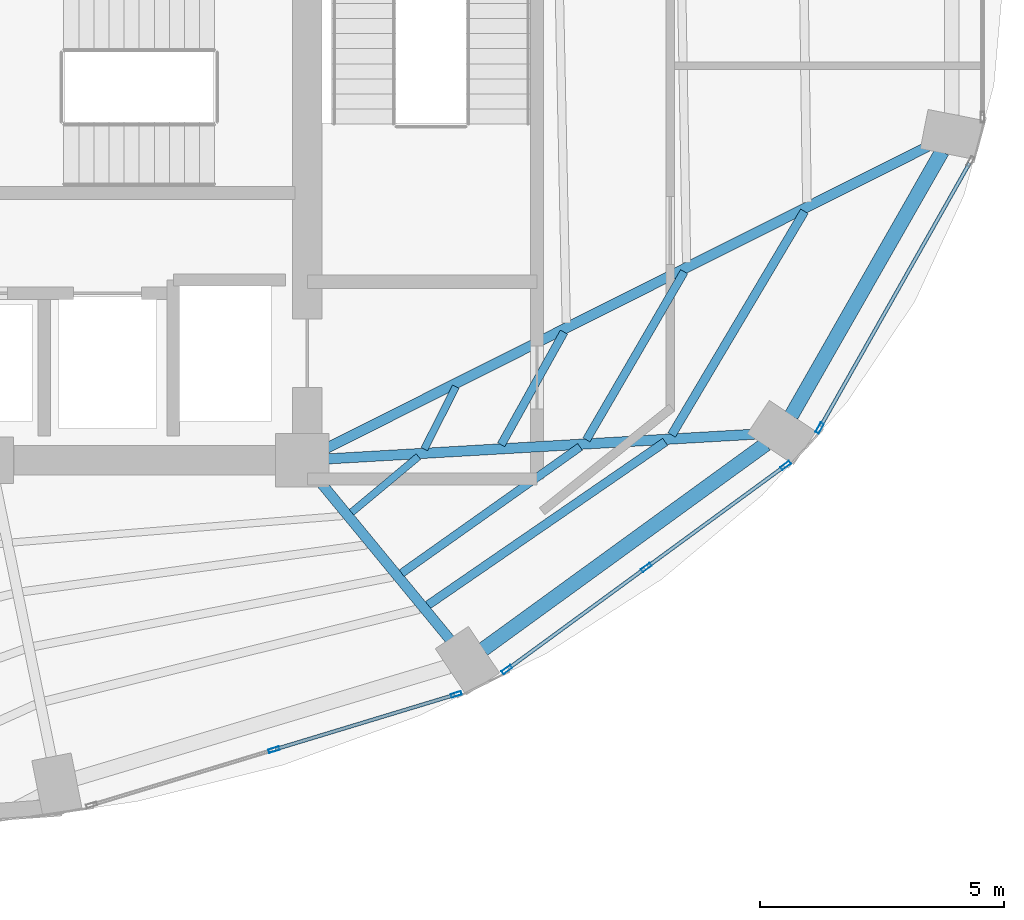
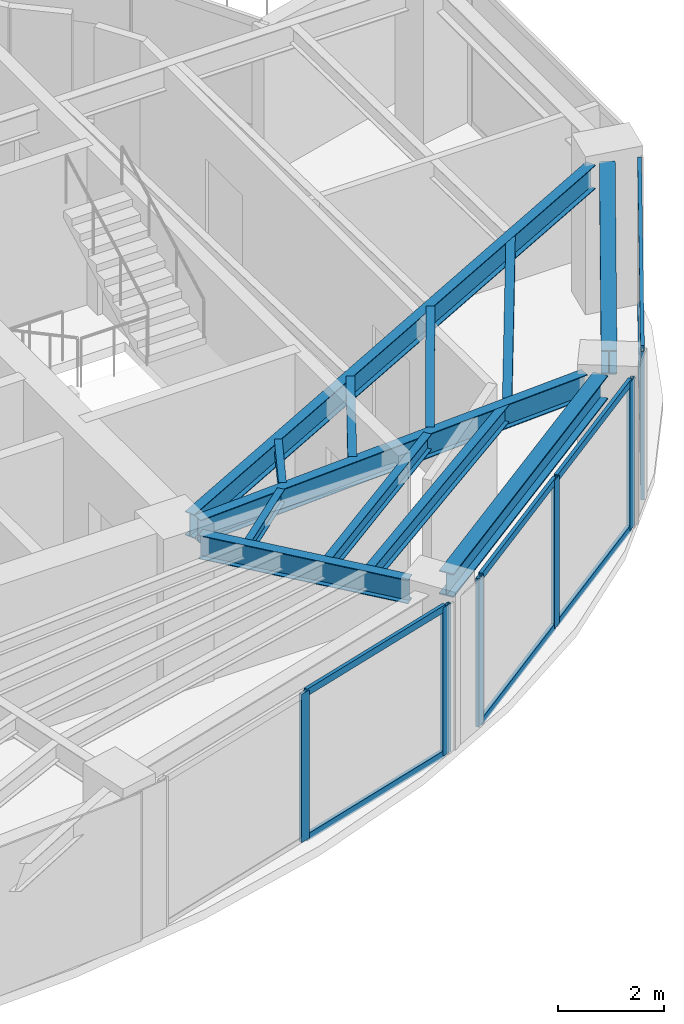
# One storey, part 9 of 19: 14 members, 12 beams, 3 elements without a shape of their own.
"""IFC4 building model written with IfcOpenShell, lengths in metres."""

from ifc_helpers import new_model, si_unit, direction, frame, origin, origin_2d, place, context, subcontext, project, spatial, hollow_rectangle, i_section, extrude, material, layer, layer_set, material_profile, profile_set, type_object, element, aggregate, save


model = new_model("IFC4")

# Units and contexts
model_context = context("Model", 3, precision=1e-05, world=origin(), true_north=direction((0.0, 1.0)))
body_context = subcontext(model_context, "Body", "Model", "MODEL_VIEW")
ifc_project = project(units=[si_unit("LENGTHUNIT", "METRE"), si_unit("AREAUNIT", "SQUARE_METRE"), si_unit("VOLUMEUNIT", "CUBIC_METRE"), si_unit("PLANEANGLEUNIT", "RADIAN"), si_unit("MASSUNIT", "GRAM", prefix="KILO")], contexts=[model_context])

# Site, building, storey
site_placement = place(None, origin())
site = spatial("IfcSite", under=ifc_project, at=site_placement, CompositionType="ELEMENT")
building_placement = place(site_placement, origin())
building = spatial("IfcBuilding", under=site, at=building_placement, Name="Lazwardi Medical Tower", CompositionType="ELEMENT")
storey_placement = place(building_placement, frame((0.0, 0.0, 163.823974609375)))
storey = spatial("IfcBuildingStorey", under=building, at=storey_placement, Name="L42", CompositionType="ELEMENT", Elevation=163.823974609375)

# Beams
ifc_material_1 = material(Name="Steel S355", Category="steel")
ifc_material_profile_1 = material_profile(ifc_material_1, i_section(OverallWidth=0.300048828125, OverallDepth=0.550048828125, WebThickness=0.014892578125, FlangeThickness=0.029052734375, at=origin_2d()), Name="HEB 550")
ifc_profile_set_1 = profile_set([ifc_material_profile_1], Name="Steel S355")
beam_type_1 = type_object("IfcBeamType", Name="BM-RB-Z3", PredefinedType="BEAM", material=ifc_profile_set_1)
beam_1_placement = place(storey_placement, frame((49.310302734375, 16.520751953125, 3.153076171875), z_axis=(0.809127570774, 0.587633026824, 0.0), x_axis=(-0.587633026824, 0.809127570774, 0.0)))
element("IfcBeam", 1, at=beam_1_placement, inside=storey, type_object=beam_type_1, Name="Ring beam RB-04 B02 L42", PredefinedType="BEAM", context=body_context, shape_type="SweptSolid", body=[
    extrude(i_section(OverallWidth=0.300048828125, OverallDepth=0.550048828125, WebThickness=0.014892578125, FlangeThickness=0.029052734375, at=origin_2d()), origin(), (0.0, 0.0, 1.0), 7.170166015625),
])
beam_2_placement = place(storey_placement, frame((55.6337890625, 21.316650390625, 3.153076171875), z_axis=(0.495477752551, 0.868620628771, 0.0), x_axis=(-0.868620628771, 0.495477752551, 0.0)))
element("IfcBeam", 2, at=beam_2_placement, inside=storey, type_object=beam_type_1, Name="Ring beam RB-04 B03 L42", PredefinedType="BEAM", context=body_context, shape_type="SweptSolid", body=[
    extrude(i_section(OverallWidth=0.300048828125, OverallDepth=0.550048828125, WebThickness=0.014892578125, FlangeThickness=0.029052734375, at=origin_2d()), origin(), (0.0, 0.0, 1.0), 6.244384765625),
])
ifc_material_profile_2 = material_profile(ifc_material_1, i_section(OverallWidth=0.2099609375, OverallDepth=0.550048828125, WebThickness=0.010986328125, FlangeThickness=0.01708984375, at=origin_2d()), Name="IPE 550")
ifc_profile_set_2 = profile_set([ifc_material_profile_2], Name="Steel S355")
beam_type_2 = type_object("IfcBeamType", Name="BM-RG-W2", PredefinedType="BEAM", material=ifc_profile_set_2)
beam_3_placement = place(storey_placement, frame((48.630615234375, 16.71826171875, 3.153076171875), z_axis=(-0.635555639966, 0.772055068312, 0.0), x_axis=(-0.772055068312, -0.635555639966, 0.0)))
element("IfcBeam", 3, at=beam_3_placement, inside=storey, type_object=beam_type_2, Name="Radial girder RG-03 R02 L42", PredefinedType="BEAM", context=body_context, shape_type="SweptSolid", body=[
    extrude(i_section(OverallWidth=0.2099609375, OverallDepth=0.550048828125, WebThickness=0.010986328125, FlangeThickness=0.01708984375, at=origin_2d()), origin(), (0.0, 0.0, 1.0), 4.233642578125),
])
beam_4_placement = place(storey_placement, frame((54.87646484375, 20.936767578125, 3.153076171875), z_axis=(-0.998330154646, -0.057765927014, 0.0), x_axis=(0.057765927014, -0.998330154646, 0.0)))
element("IfcBeam", 4, at=beam_4_placement, inside=storey, type_object=beam_type_2, Name="Radial girder RG-03 R03 L42", PredefinedType="BEAM", context=body_context, shape_type="SweptSolid", body=[
    extrude(i_section(OverallWidth=0.2099609375, OverallDepth=0.550048828125, WebThickness=0.010986328125, FlangeThickness=0.01708984375, at=origin_2d()), origin(), (0.0, 0.0, 1.0), 8.757080078125),
])
beam_5_placement = place(storey_placement, frame((58.42529296875, 26.837158203125, 3.153076171875), z_axis=(-0.893740468624, -0.448584412061, 0.0), x_axis=(0.448584412061, -0.893740468624, 0.0)))
element("IfcBeam", 5, at=beam_5_placement, inside=storey, type_object=beam_type_2, Name="Radial girder RG-03 R04 L42", PredefinedType="BEAM", context=body_context, shape_type="SweptSolid", body=[
    extrude(i_section(OverallWidth=0.2099609375, OverallDepth=0.550048828125, WebThickness=0.010986328125, FlangeThickness=0.01708984375, at=origin_2d()), origin(), (0.0, 0.0, 1.0), 13.815185546875),
])
ifc_material_profile_3 = material_profile(ifc_material_1, i_section(OverallWidth=0.179931640625, OverallDepth=0.39990234375, WebThickness=0.008544921875, FlangeThickness=0.013427734375, at=origin_2d()), Name="IPE 400")
ifc_profile_set_3 = profile_set([ifc_material_profile_3], Name="Steel S355")
beam_type_3 = type_object("IfcBeamType", Name="BM-SJ-01", PredefinedType="JOIST", material=ifc_profile_set_3)
beam_6_placement = place(storey_placement, frame((48.1748046875, 17.4287109375, 3.22802734375), z_axis=(0.823932256005, 0.566688307198, 0.0), x_axis=(-0.566688307198, 0.823932256005, 0.0)))
element("IfcBeam", 6, at=beam_6_placement, inside=storey, type_object=beam_type_3, Name="Secondary joist SJ-01 R1 B02 L42", PredefinedType="JOIST", context=body_context, shape_type="SweptSolid", body=[
    extrude(i_section(OverallWidth=0.179931640625, OverallDepth=0.39990234375, WebThickness=0.008544921875, FlangeThickness=0.013427734375, at=origin_2d()), origin(), (0.0, 0.0, 1.0), 5.91162109375),
])
beam_7_placement = place(storey_placement, frame((53.17919921875, 20.921630859375, 3.22802734375), z_axis=(0.510569396963, 0.859836548935, 0.0), x_axis=(-0.859836548935, 0.510569396963, 0.0)))
element("IfcBeam", 7, at=beam_7_placement, inside=storey, type_object=beam_type_3, Name="Secondary joist SJ-01 R1 B03 L42", PredefinedType="JOIST", context=body_context, shape_type="SweptSolid", body=[
    extrude(i_section(OverallWidth=0.179931640625, OverallDepth=0.39990234375, WebThickness=0.008544921875, FlangeThickness=0.013427734375, at=origin_2d()), origin(), (0.0, 0.0, 1.0), 5.33837890625),
])
ifc_material_profile_4 = material_profile(ifc_material_1, i_section(OverallWidth=0.169921875, OverallDepth=0.360107421875, WebThickness=0.008056640625, FlangeThickness=0.0126953125, at=origin_2d()), Name="IPE 360")
ifc_profile_set_4 = profile_set([ifc_material_profile_4], Name="Steel S355")
beam_type_4 = type_object("IfcBeamType", Name="BM-SJ-02", PredefinedType="JOIST", material=ifc_profile_set_4)
beam_8_placement = place(storey_placement, frame((47.635986328125, 18.08349609375, 3.248046875), z_axis=(0.816108950798, 0.577898070967, 0.0), x_axis=(-0.577898070967, 0.816108950798, 0.0)))
element("IfcBeam", 8, at=beam_8_placement, inside=storey, type_object=beam_type_4, Name="Secondary joist SJ-02 R2 B02 L42", PredefinedType="JOIST", context=body_context, shape_type="SweptSolid", body=[
    extrude(i_section(OverallWidth=0.169921875, OverallDepth=0.360107421875, WebThickness=0.008056640625, FlangeThickness=0.0126953125, at=origin_2d()), origin(), (0.0, 0.0, 1.0), 4.487060546875),
])
beam_9_placement = place(storey_placement, frame((51.4296875, 20.82080078125, 3.248046875), z_axis=(0.502665102216, 0.864481228839, 0.0), x_axis=(-0.864481228839, 0.502665102216, 0.0)))
element("IfcBeam", 9, at=beam_9_placement, inside=storey, type_object=beam_type_4, Name="Secondary joist SJ-02 R2 B03 L42", PredefinedType="JOIST", context=body_context, shape_type="SweptSolid", body=[
    extrude(i_section(OverallWidth=0.169921875, OverallDepth=0.360107421875, WebThickness=0.008056640625, FlangeThickness=0.0126953125, at=origin_2d()), origin(), (0.0, 0.0, 1.0), 3.991943359375),
])
beam_10_placement = place(storey_placement, frame((49.6796875, 20.720703125, 3.248046875), z_axis=(0.487099444348, 0.87334651274, 0.0), x_axis=(-0.87334651274, 0.487099444348, 0.0)))
element("IfcBeam", 10, at=beam_10_placement, inside=storey, type_object=beam_type_4, Name="Secondary joist SJ-02 R3 B03 L42", PredefinedType="JOIST", context=body_context, shape_type="SweptSolid", body=[
    extrude(i_section(OverallWidth=0.169921875, OverallDepth=0.360107421875, WebThickness=0.008056640625, FlangeThickness=0.0126953125, at=origin_2d()), origin(), (0.0, 0.0, 1.0), 2.64599609375),
])
ifc_material_profile_5 = material_profile(ifc_material_1, i_section(OverallWidth=0.14990234375, OverallDepth=0.300048828125, WebThickness=0.007080078125, FlangeThickness=0.0107421875, at=origin_2d()), Name="IPE 300")
ifc_profile_set_5 = profile_set([ifc_material_profile_5], Name="Steel S355")
beam_type_5 = type_object("IfcBeamType", Name="BM-SJ-03", PredefinedType="JOIST", material=ifc_profile_set_5)
beam_11_placement = place(storey_placement, frame((46.608642578125, 19.331787109375, 3.278076171875), z_axis=(0.767437193893, 0.641124132621, 0.0), x_axis=(-0.641124132621, 0.767437193893, 0.0)))
element("IfcBeam", 11, at=beam_11_placement, inside=storey, type_object=beam_type_5, Name="Secondary joist SJ-03 R4 B02 L42", PredefinedType="JOIST", context=body_context, shape_type="SweptSolid", body=[
    extrude(i_section(OverallWidth=0.14990234375, OverallDepth=0.300048828125, WebThickness=0.007080078125, FlangeThickness=0.0107421875, at=origin_2d()), origin(), (0.0, 0.0, 1.0), 1.787841796875),
])
beam_12_placement = place(storey_placement, frame((48.1025390625, 20.631591796875, 3.278076171875), z_axis=(0.450406075332, 0.892823816497, 0.0), x_axis=(-0.892823816497, 0.450406075332, 0.0)))
element("IfcBeam", 12, at=beam_12_placement, inside=storey, type_object=beam_type_5, Name="Secondary joist SJ-03 R4 B03 L42", PredefinedType="JOIST", context=body_context, shape_type="SweptSolid", body=[
    extrude(i_section(OverallWidth=0.14990234375, OverallDepth=0.300048828125, WebThickness=0.007080078125, FlangeThickness=0.0107421875, at=origin_2d()), origin(), (0.0, 0.0, 1.0), 1.4365234375),
])

# Curtain wall, members
ifc_material_2 = material(Name="Anodised bronze aluminium and solar control glazing", Category="aluminium")
ifc_layer = layer(ifc_material_2, 0.195068359375)
ifc_layer_set = layer_set([ifc_layer], Name="Anodised bronze aluminium and solar control glazing")
curtain_wall_type = type_object("IfcCurtainWallType", Name="CW-SYS-03", PredefinedType="NOTDEFINED", material=ifc_layer_set)
curtain_wall_1_placement = place(storey_placement, origin())
curtain_wall_1 = element("IfcCurtainWall", 13, at=curtain_wall_1_placement, inside=storey, type_object=curtain_wall_type, Name="L42 Unitised bronze curtain wall CW-03", PredefinedType="NOTDEFINED")
ifc_material_3 = material(Name="Anodised bronze aluminium", Category="aluminium")
ifc_material_profile_6 = material_profile(ifc_material_3, hollow_rectangle(XDim=0.074951171875, YDim=0.219970703125, WallThickness=0.00390625, at=origin_2d()), Name="ALU-MULLION 220x75x4")
ifc_profile_set_6 = profile_set([ifc_material_profile_6], Name="Anodised bronze aluminium")
member_type_1 = type_object("IfcMemberType", Name="CW-MUL-01", PredefinedType="MULLION", material=ifc_profile_set_6)
member_1_placement = place(storey_placement, frame((45.01513671875, 14.461181640625, 0.0), z_axis=(0.0, 0.0, 1.0), x_axis=(-0.290280785441, 0.956941516292, 0.0)))
member_1 = element("IfcMember", 14, at=member_1_placement, type_object=member_type_1, Name="CW-03 mullion 2", PredefinedType="MULLION", context=body_context, shape_type="SweptSolid", body=[
    extrude(hollow_rectangle(XDim=0.074951171875, YDim=0.219970703125, WallThickness=0.00390625, at=origin_2d()), origin(), (0.0, 0.0, 1.0), 3.427978515625),
])
member_2_placement = place(storey_placement, frame((48.758056640625, 15.5966796875, 0.0), z_axis=(0.0, 0.0, 1.0), x_axis=(-0.290280785441, 0.956941516292, 0.0)))
member_2 = element("IfcMember", 15, at=member_2_placement, type_object=member_type_1, Name="CW-03 mullion 3", PredefinedType="MULLION", context=body_context, shape_type="SweptSolid", body=[
    extrude(hollow_rectangle(XDim=0.074951171875, YDim=0.219970703125, WallThickness=0.00390625, at=origin_2d()), origin(), (0.0, 0.0, 1.0), 3.427978515625),
])

curtain_wall_2_placement = place(storey_placement, origin())
curtain_wall_2 = element("IfcCurtainWall", 16, at=curtain_wall_2_placement, inside=storey, type_object=curtain_wall_type, Name="L42 Unitised bronze curtain wall CW-03", PredefinedType="NOTDEFINED")
member_3_placement = place(storey_placement, frame((49.795654296875, 16.105224609375, 0.0), z_axis=(0.0, 0.0, 1.0), x_axis=(-0.590833862635, 0.806793249082, 0.0)))
member_3 = element("IfcMember", 17, at=member_3_placement, type_object=member_type_1, Name="CW-03 mullion 1", PredefinedType="MULLION", context=body_context, shape_type="SweptSolid", body=[
    extrude(hollow_rectangle(XDim=0.074951171875, YDim=0.219970703125, WallThickness=0.00390625, at=origin_2d()), origin(), (0.0, 0.0, 1.0), 3.427978515625),
])
member_4_placement = place(storey_placement, frame((52.65771484375, 18.201171875, 0.0), z_axis=(0.0, 0.0, 1.0), x_axis=(-0.590833862635, 0.806793249082, 0.0)))
member_4 = element("IfcMember", 18, at=member_4_placement, type_object=member_type_1, Name="CW-03 mullion 2", PredefinedType="MULLION", context=body_context, shape_type="SweptSolid", body=[
    extrude(hollow_rectangle(XDim=0.074951171875, YDim=0.219970703125, WallThickness=0.00390625, at=origin_2d()), origin(), (0.0, 0.0, 1.0), 3.427978515625),
])
member_5_placement = place(storey_placement, frame((55.519775390625, 20.297119140625, 0.0), z_axis=(0.0, 0.0, 1.0), x_axis=(-0.590833862635, 0.806793249082, 0.0)))
member_5 = element("IfcMember", 19, at=member_5_placement, type_object=member_type_1, Name="CW-03 mullion 3", PredefinedType="MULLION", context=body_context, shape_type="SweptSolid", body=[
    extrude(hollow_rectangle(XDim=0.074951171875, YDim=0.219970703125, WallThickness=0.00390625, at=origin_2d()), origin(), (0.0, 0.0, 1.0), 3.427978515625),
])

# Curtain wall, member
curtain_wall_3_placement = place(storey_placement, origin())
curtain_wall_3 = element("IfcCurtainWall", 20, at=curtain_wall_3_placement, inside=storey, type_object=curtain_wall_type, Name="L42 Unitised bronze curtain wall CW-03", PredefinedType="NOTDEFINED")
member_6_placement = place(storey_placement, frame((56.217529296875, 21.063232421875, 0.0), z_axis=(0.0, 0.0, 1.0), x_axis=(-0.870418989303, 0.492311672683, 0.0)))
member_6 = element("IfcMember", 21, at=member_6_placement, type_object=member_type_1, Name="CW-03 mullion 1", PredefinedType="MULLION", context=body_context, shape_type="SweptSolid", body=[
    extrude(hollow_rectangle(XDim=0.074951171875, YDim=0.219970703125, WallThickness=0.00390625, at=origin_2d()), origin(), (0.0, 0.0, 1.0), 3.427978515625),
])

# Member
ifc_material_profile_7 = material_profile(ifc_material_3, hollow_rectangle(XDim=0.074951171875, YDim=0.159912109375, WallThickness=0.00390625, at=origin_2d()), Name="ALU-TRANSOM 160x75x4")
ifc_profile_set_7 = profile_set([ifc_material_profile_7], Name="Anodised bronze aluminium")
member_type_2 = type_object("IfcMemberType", Name="CW-TRN-01", PredefinedType="USERDEFINED", material=ifc_profile_set_7)
member_7_placement = place(storey_placement, frame((45.051025390625, 14.47216796875, 0.03759765625), z_axis=(0.956930154175, 0.290318239233, 0.0), x_axis=(-0.290318239233, 0.956930154175, 0.0)))
member_7 = element("IfcMember", 22, at=member_7_placement, type_object=member_type_2, Name="CW-03 transom 2.1", ObjectType="TRANSOM", PredefinedType="USERDEFINED", context=body_context, shape_type="SweptSolid", body=[
    extrude(hollow_rectangle(XDim=0.074951171875, YDim=0.159912109375, WallThickness=0.00390625, at=origin_2d()), origin(), (0.0, 0.0, 1.0), 3.83642578125),
])

member_8_placement = place(storey_placement, frame((45.051025390625, 14.47216796875, 3.390625), z_axis=(0.956930154175, 0.290318239233, 0.0), x_axis=(-0.290318239233, 0.956930154175, 0.0)))
member_8 = element("IfcMember", 23, at=member_8_placement, type_object=member_type_2, Name="CW-03 transom 2.2", ObjectType="TRANSOM", PredefinedType="USERDEFINED", context=body_context, shape_type="SweptSolid", body=[
    extrude(hollow_rectangle(XDim=0.074951171875, YDim=0.159912109375, WallThickness=0.00390625, at=origin_2d()), origin(), (0.0, 0.0, 1.0), 3.83642578125),
])

aggregate(curtain_wall_1, [member_1, member_2, member_7, member_8])

member_9_placement = place(storey_placement, frame((49.825927734375, 16.127197265625, 0.03759765625), z_axis=(0.806773646358, 0.590860629542, 0.0), x_axis=(-0.590860629542, 0.806773646358, 0.0)))
member_9 = element("IfcMember", 24, at=member_9_placement, type_object=member_type_2, Name="CW-03 transom 1.1", ObjectType="TRANSOM", PredefinedType="USERDEFINED", context=body_context, shape_type="SweptSolid", body=[
    extrude(hollow_rectangle(XDim=0.074951171875, YDim=0.159912109375, WallThickness=0.00390625, at=origin_2d()), origin(), (0.0, 0.0, 1.0), 3.472412109375),
])

member_10_placement = place(storey_placement, frame((49.825927734375, 16.127197265625, 3.390625), z_axis=(0.806773646358, 0.590860629542, 0.0), x_axis=(-0.590860629542, 0.806773646358, 0.0)))
member_10 = element("IfcMember", 25, at=member_10_placement, type_object=member_type_2, Name="CW-03 transom 1.2", ObjectType="TRANSOM", PredefinedType="USERDEFINED", context=body_context, shape_type="SweptSolid", body=[
    extrude(hollow_rectangle(XDim=0.074951171875, YDim=0.159912109375, WallThickness=0.00390625, at=origin_2d()), origin(), (0.0, 0.0, 1.0), 3.472412109375),
])

member_11_placement = place(storey_placement, frame((52.68798828125, 18.22314453125, 0.03759765625), z_axis=(0.806773646358, 0.590860629542, 0.0), x_axis=(-0.590860629542, 0.806773646358, 0.0)))
member_11 = element("IfcMember", 26, at=member_11_placement, type_object=member_type_2, Name="CW-03 transom 2.1", ObjectType="TRANSOM", PredefinedType="USERDEFINED", context=body_context, shape_type="SweptSolid", body=[
    extrude(hollow_rectangle(XDim=0.074951171875, YDim=0.159912109375, WallThickness=0.00390625, at=origin_2d()), origin(), (0.0, 0.0, 1.0), 3.472412109375),
])

member_12_placement = place(storey_placement, frame((52.68798828125, 18.22314453125, 3.390625), z_axis=(0.806773646358, 0.590860629542, 0.0), x_axis=(-0.590860629542, 0.806773646358, 0.0)))
member_12 = element("IfcMember", 27, at=member_12_placement, type_object=member_type_2, Name="CW-03 transom 2.2", ObjectType="TRANSOM", PredefinedType="USERDEFINED", context=body_context, shape_type="SweptSolid", body=[
    extrude(hollow_rectangle(XDim=0.074951171875, YDim=0.159912109375, WallThickness=0.00390625, at=origin_2d()), origin(), (0.0, 0.0, 1.0), 3.472412109375),
])

aggregate(curtain_wall_2, [member_3, member_4, member_5, member_9, member_10, member_11, member_12])

member_13_placement = place(storey_placement, frame((56.236083984375, 21.095947265625, 0.03759765625), z_axis=(0.492322860598, 0.870412661289, 0.0), x_axis=(-0.870412661289, 0.492322860598, 0.0)))
member_13 = element("IfcMember", 28, at=member_13_placement, type_object=member_type_2, Name="CW-03 transom 1.1", ObjectType="TRANSOM", PredefinedType="USERDEFINED", context=body_context, shape_type="SweptSolid", body=[
    extrude(hollow_rectangle(XDim=0.074951171875, YDim=0.159912109375, WallThickness=0.00390625, at=origin_2d()), origin(), (0.0, 0.0, 1.0), 6.20849609375),
])

member_14_placement = place(storey_placement, frame((56.236083984375, 21.095947265625, 3.390625), z_axis=(0.492322860598, 0.870412661289, 0.0), x_axis=(-0.870412661289, 0.492322860598, 0.0)))
member_14 = element("IfcMember", 29, at=member_14_placement, type_object=member_type_2, Name="CW-03 transom 1.2", ObjectType="TRANSOM", PredefinedType="USERDEFINED", context=body_context, shape_type="SweptSolid", body=[
    extrude(hollow_rectangle(XDim=0.074951171875, YDim=0.159912109375, WallThickness=0.00390625, at=origin_2d()), origin(), (0.0, 0.0, 1.0), 6.20849609375),
])

aggregate(curtain_wall_3, [member_6, member_13, member_14])

save(model, "model.ifc")
